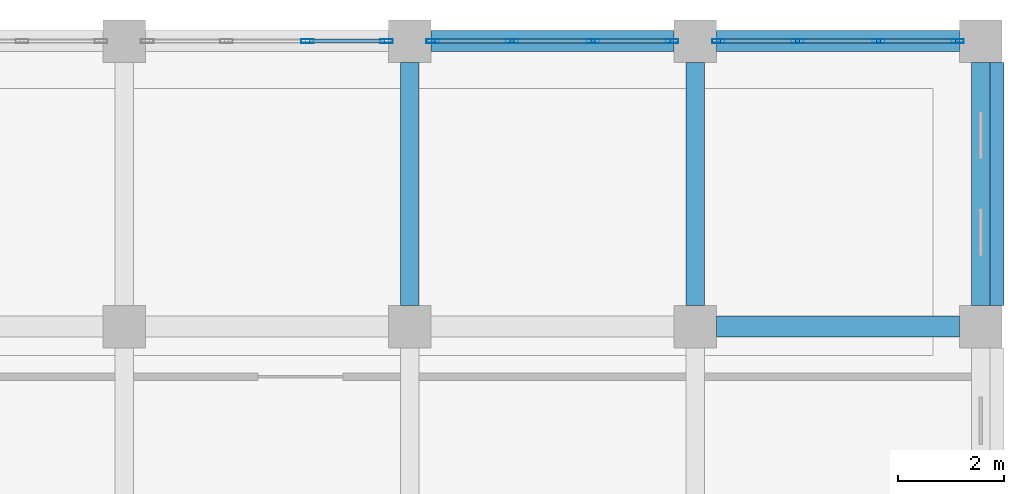
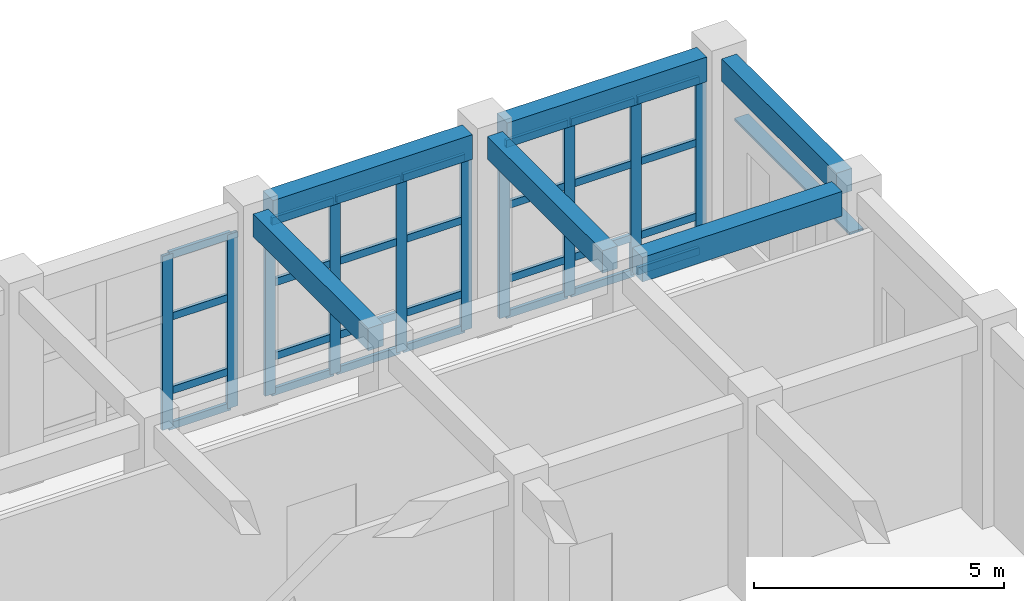
# One storey, part 43 of 77: 39 members, 6 beams, 3 elements without a shape of their own.
"""IFC4 building model written with IfcOpenShell, lengths in metres."""

from ifc_helpers import new_model, si_unit, direction, frame, origin, origin_2d, place, context, subcontext, project, spatial, rectangle, hollow_rectangle, extrude, material, layer, layer_set, material_profile, profile_set, type_object, element, aggregate, save


model = new_model("IFC4")

# Units and contexts
model_context = context("Model", 3, precision=1e-05, world=origin(), true_north=direction((0.0, 1.0)))
body_context = subcontext(model_context, "Body", "Model", "MODEL_VIEW")
ifc_project = project(units=[si_unit("LENGTHUNIT", "METRE"), si_unit("AREAUNIT", "SQUARE_METRE"), si_unit("VOLUMEUNIT", "CUBIC_METRE"), si_unit("PLANEANGLEUNIT", "RADIAN"), si_unit("MASSUNIT", "GRAM", prefix="KILO")], contexts=[model_context])

# Site, building, storey
site_placement = place(None, origin())
site = spatial("IfcSite", under=ifc_project, at=site_placement, CompositionType="ELEMENT")
building_placement = place(site_placement, origin())
building = spatial("IfcBuilding", under=site, at=building_placement, Name="Krzemoval Escarpment Law Courts", CompositionType="ELEMENT")
storey_placement = place(building_placement, frame((0.0, 0.0, 15.300048828125)))
storey = spatial("IfcBuildingStorey", under=building, at=storey_placement, Name="L03", CompositionType="ELEMENT", Elevation=15.300048828125)

# Beams
ifc_material_1 = material(Name="Concrete C40/50", Category="concrete")
ifc_material_profile_1 = material_profile(ifc_material_1, rectangle(XDim=0.35009765625, YDim=0.550048828125, at=origin_2d()), Name="RCB 350x550")
ifc_profile_set_1 = profile_set([ifc_material_profile_1], Name="Concrete C40/50")
beam_type_1 = type_object("IfcBeamType", Name="BM-RC-350x550", PredefinedType="BEAM", material=ifc_profile_set_1)
for number, where, z_axis, x_axis, name in (
    (1, (162.0, 113.800048828125, 4.56494140625), (0.0, 1.0, 0.0), (-1.0, 0.0, 0.0), "Beam FG-L03-2352"),
    (2, (167.39990234375, 113.800048828125, 4.56494140625), (0.0, 1.0, 0.0), (-1.0, 0.0, 0.0), "Beam FG-L03-2356"),
    (3, (172.800048828125, 113.800048828125, 4.56494140625), (0.0, 1.0, 0.0), (-1.0, 0.0, 0.0), "Beam FG-L03-2360"),
):
    element("IfcBeam", number, at=place(storey_placement, frame(where, z_axis=z_axis, x_axis=x_axis)), inside=storey, type_object=beam_type_1, Name=name, PredefinedType="BEAM", context=body_context, shape_type="SweptSolid", body=[
        extrude(rectangle(XDim=0.35009765625, YDim=0.550048828125, at=origin_2d()), origin(), (0.0, 0.0, 1.0), 4.599853515625),
    ])
ifc_material_2 = material(Name="Concrete C40/50", Category="concrete")
ifc_material_profile_2 = material_profile(ifc_material_2, rectangle(XDim=0.39990234375, YDim=0.60009765625, at=origin_2d()), Name="RCB 400x600")
ifc_profile_set_2 = profile_set([ifc_material_profile_2], Name="Concrete C40/50")
beam_type_2 = type_object("IfcBeamType", Name="BM-RC-400x600", PredefinedType="BEAM", material=ifc_profile_set_2)
beam_1_placement = place(storey_placement, frame((167.800048828125, 113.39990234375, 4.5400390625), z_axis=(1.0, 0.0, 0.0), x_axis=(0.0, 1.0, 0.0)))
element("IfcBeam", 4, at=beam_1_placement, inside=storey, type_object=beam_type_2, Name="Beam FG-L03-2207", PredefinedType="BEAM", context=body_context, shape_type="SweptSolid", body=[
    extrude(rectangle(XDim=0.39990234375, YDim=0.60009765625, at=origin_2d()), origin(), (0.0, 0.0, 1.0), 4.599853515625),
])
beam_2_placement = place(storey_placement, frame((162.39990234375, 118.800048828125, 4.5400390625), z_axis=(1.0, 0.0, 0.0), x_axis=(0.0, 1.0, 0.0)))
element("IfcBeam", 5, at=beam_2_placement, inside=storey, type_object=beam_type_2, Name="Beam FG-L03-2213", PredefinedType="BEAM", context=body_context, shape_type="SweptSolid", body=[
    extrude(rectangle(XDim=0.39990234375, YDim=0.60009765625, at=origin_2d()), origin(), (0.0, 0.0, 1.0), 4.60009765625),
])
beam_3_placement = place(storey_placement, frame((167.800048828125, 118.800048828125, 4.5400390625), z_axis=(1.0, 0.0, 0.0), x_axis=(0.0, 1.0, 0.0)))
element("IfcBeam", 6, at=beam_3_placement, inside=storey, type_object=beam_type_2, Name="Beam FG-L03-2214", PredefinedType="BEAM", context=body_context, shape_type="SweptSolid", body=[
    extrude(rectangle(XDim=0.39990234375, YDim=0.60009765625, at=origin_2d()), origin(), (0.0, 0.0, 1.0), 4.599853515625),
])

# Curtain wall, members
ifc_material_3 = material(Name="Aluminium 6063-T6", Category="aluminium")
ifc_layer = layer(ifc_material_3, 0.239990234375)
ifc_layer_set = layer_set([ifc_layer], Name="Aluminium 6063-T6")
curtain_wall_type = type_object("IfcCurtainWallType", Name="CW-CHMB-4800", PredefinedType="USERDEFINED", material=ifc_layer_set)
curtain_wall_1_placement = place(storey_placement, origin())
curtain_wall_1 = element("IfcCurtainWall", 7, at=curtain_wall_1_placement, inside=storey, type_object=curtain_wall_type, Name="Unitised Curtain Wall FCW-L03-117", ObjectType="UNITISED_CURTAIN_WALL", PredefinedType="USERDEFINED")
ifc_material_4 = material(Name="Aluminium 6063-T6", Category="aluminium")
ifc_material_profile_3 = material_profile(ifc_material_4, hollow_rectangle(XDim=0.074951171875, YDim=0.239990234375, WallThickness=0.0048828125, at=origin_2d()), Name="ALU M75x240")
ifc_profile_set_3 = profile_set([ifc_material_profile_3], Name="Aluminium 6063-T6")
member_type_1 = type_object("IfcMemberType", Name="CWM-75x240", PredefinedType="MULLION", material=ifc_profile_set_3)
member_1_placement = place(storey_placement, frame((160.066650390625, 118.800048828125, 0.0), z_axis=(0.0, 0.0, 1.0), x_axis=(0.0, 1.0, 0.0)))
member_1 = element("IfcMember", 8, at=member_1_placement, type_object=member_type_1, Name="FCW-L03-117 mullion 3", PredefinedType="MULLION", context=body_context, shape_type="SweptSolid", body=[
    extrude(hollow_rectangle(XDim=0.074951171875, YDim=0.239990234375, WallThickness=0.0048828125, at=origin_2d()), origin(), (0.0, 0.0, 1.0), 4.239990234375),
])
member_2_placement = place(storey_placement, frame((161.5625, 118.800048828125, 0.0), z_axis=(0.0, 0.0, 1.0), x_axis=(0.0, 1.0, 0.0)))
member_2 = element("IfcMember", 9, at=member_2_placement, type_object=member_type_1, Name="FCW-L03-117 mullion 4", PredefinedType="MULLION", context=body_context, shape_type="SweptSolid", body=[
    extrude(hollow_rectangle(XDim=0.074951171875, YDim=0.239990234375, WallThickness=0.0048828125, at=origin_2d()), origin(), (0.0, 0.0, 1.0), 4.239990234375),
])

curtain_wall_2_placement = place(storey_placement, origin())
curtain_wall_2 = element("IfcCurtainWall", 10, at=curtain_wall_2_placement, inside=storey, type_object=curtain_wall_type, Name="Unitised Curtain Wall FCW-L03-118", ObjectType="UNITISED_CURTAIN_WALL", PredefinedType="USERDEFINED")
member_3_placement = place(storey_placement, frame((162.4375, 118.800048828125, 0.0), z_axis=(0.0, 0.0, 1.0), x_axis=(0.0, 1.0, 0.0)))
member_3 = element("IfcMember", 11, at=member_3_placement, type_object=member_type_1, Name="FCW-L03-118 mullion 1", PredefinedType="MULLION", context=body_context, shape_type="SweptSolid", body=[
    extrude(hollow_rectangle(XDim=0.074951171875, YDim=0.239990234375, WallThickness=0.0048828125, at=origin_2d()), origin(), (0.0, 0.0, 1.0), 4.239990234375),
])
member_4_placement = place(storey_placement, frame((163.933349609375, 118.800048828125, 0.0), z_axis=(0.0, 0.0, 1.0), x_axis=(0.0, 1.0, 0.0)))
member_4 = element("IfcMember", 12, at=member_4_placement, type_object=member_type_1, Name="FCW-L03-118 mullion 2", PredefinedType="MULLION", context=body_context, shape_type="SweptSolid", body=[
    extrude(hollow_rectangle(XDim=0.074951171875, YDim=0.239990234375, WallThickness=0.0048828125, at=origin_2d()), origin(), (0.0, 0.0, 1.0), 4.239990234375),
])
member_5_placement = place(storey_placement, frame((165.466552734375, 118.800048828125, 0.0), z_axis=(0.0, 0.0, 1.0), x_axis=(0.0, 1.0, 0.0)))
member_5 = element("IfcMember", 13, at=member_5_placement, type_object=member_type_1, Name="FCW-L03-118 mullion 3", PredefinedType="MULLION", context=body_context, shape_type="SweptSolid", body=[
    extrude(hollow_rectangle(XDim=0.074951171875, YDim=0.239990234375, WallThickness=0.0048828125, at=origin_2d()), origin(), (0.0, 0.0, 1.0), 4.239990234375),
])
member_6_placement = place(storey_placement, frame((166.96240234375, 118.800048828125, 0.0), z_axis=(0.0, 0.0, 1.0), x_axis=(0.0, 1.0, 0.0)))
member_6 = element("IfcMember", 14, at=member_6_placement, type_object=member_type_1, Name="FCW-L03-118 mullion 4", PredefinedType="MULLION", context=body_context, shape_type="SweptSolid", body=[
    extrude(hollow_rectangle(XDim=0.074951171875, YDim=0.239990234375, WallThickness=0.0048828125, at=origin_2d()), origin(), (0.0, 0.0, 1.0), 4.239990234375),
])

curtain_wall_3_placement = place(storey_placement, origin())
curtain_wall_3 = element("IfcCurtainWall", 15, at=curtain_wall_3_placement, inside=storey, type_object=curtain_wall_type, Name="Unitised Curtain Wall FCW-L03-119", ObjectType="UNITISED_CURTAIN_WALL", PredefinedType="USERDEFINED")
member_7_placement = place(storey_placement, frame((167.83740234375, 118.800048828125, 0.0), z_axis=(0.0, 0.0, 1.0), x_axis=(0.0, 1.0, 0.0)))
member_7 = element("IfcMember", 16, at=member_7_placement, type_object=member_type_1, Name="FCW-L03-119 mullion 1", PredefinedType="MULLION", context=body_context, shape_type="SweptSolid", body=[
    extrude(hollow_rectangle(XDim=0.074951171875, YDim=0.239990234375, WallThickness=0.0048828125, at=origin_2d()), origin(), (0.0, 0.0, 1.0), 4.239990234375),
])
member_8_placement = place(storey_placement, frame((169.333251953125, 118.800048828125, 0.0), z_axis=(0.0, 0.0, 1.0), x_axis=(0.0, 1.0, 0.0)))
member_8 = element("IfcMember", 17, at=member_8_placement, type_object=member_type_1, Name="FCW-L03-119 mullion 2", PredefinedType="MULLION", context=body_context, shape_type="SweptSolid", body=[
    extrude(hollow_rectangle(XDim=0.074951171875, YDim=0.239990234375, WallThickness=0.0048828125, at=origin_2d()), origin(), (0.0, 0.0, 1.0), 4.239990234375),
])
member_9_placement = place(storey_placement, frame((170.86669921875, 118.800048828125, 0.0), z_axis=(0.0, 0.0, 1.0), x_axis=(0.0, 1.0, 0.0)))
member_9 = element("IfcMember", 18, at=member_9_placement, type_object=member_type_1, Name="FCW-L03-119 mullion 3", PredefinedType="MULLION", context=body_context, shape_type="SweptSolid", body=[
    extrude(hollow_rectangle(XDim=0.074951171875, YDim=0.239990234375, WallThickness=0.0048828125, at=origin_2d()), origin(), (0.0, 0.0, 1.0), 4.239990234375),
])
member_10_placement = place(storey_placement, frame((172.362548828125, 118.800048828125, 0.0), z_axis=(0.0, 0.0, 1.0), x_axis=(0.0, 1.0, 0.0)))
member_10 = element("IfcMember", 19, at=member_10_placement, type_object=member_type_1, Name="FCW-L03-119 mullion 4", PredefinedType="MULLION", context=body_context, shape_type="SweptSolid", body=[
    extrude(hollow_rectangle(XDim=0.074951171875, YDim=0.239990234375, WallThickness=0.0048828125, at=origin_2d()), origin(), (0.0, 0.0, 1.0), 4.239990234375),
])

# Member
ifc_material_5 = material(Name="Aluminium 6063-T6", Category="aluminium")
ifc_material_profile_4 = material_profile(ifc_material_5, hollow_rectangle(XDim=0.074951171875, YDim=0.179931640625, WallThickness=0.0048828125, at=origin_2d()), Name="ALU T75x180")
ifc_profile_set_4 = profile_set([ifc_material_profile_4], Name="Aluminium 6063-T6")
member_type_2 = type_object("IfcMemberType", Name="CWT-75x180", PredefinedType="USERDEFINED", material=ifc_profile_set_4)
member_11_placement = place(storey_placement, frame((160.104248046875, 118.800048828125, 0.037353515625), z_axis=(1.0, 0.0, 0.0), x_axis=(0.0, 1.0, 0.0)))
member_11 = element("IfcMember", 20, at=member_11_placement, type_object=member_type_2, Name="FCW-L03-117 transom 3.1", ObjectType="TRANSOM", PredefinedType="USERDEFINED", context=body_context, shape_type="SweptSolid", body=[
    extrude(hollow_rectangle(XDim=0.074951171875, YDim=0.179931640625, WallThickness=0.0048828125, at=origin_2d()), origin(), (0.0, 0.0, 1.0), 1.420654296875),
])

member_12_placement = place(storey_placement, frame((160.104248046875, 118.800048828125, 0.89990234375), z_axis=(1.0, 0.0, 0.0), x_axis=(0.0, 1.0, 0.0)))
member_12 = element("IfcMember", 21, at=member_12_placement, type_object=member_type_2, Name="FCW-L03-117 transom 3.2", ObjectType="TRANSOM", PredefinedType="USERDEFINED", context=body_context, shape_type="SweptSolid", body=[
    extrude(hollow_rectangle(XDim=0.074951171875, YDim=0.179931640625, WallThickness=0.0048828125, at=origin_2d()), origin(), (0.0, 0.0, 1.0), 1.420654296875),
])

member_13_placement = place(storey_placement, frame((160.104248046875, 118.800048828125, 2.699951171875), z_axis=(1.0, 0.0, 0.0), x_axis=(0.0, 1.0, 0.0)))
member_13 = element("IfcMember", 22, at=member_13_placement, type_object=member_type_2, Name="FCW-L03-117 transom 3.3", ObjectType="TRANSOM", PredefinedType="USERDEFINED", context=body_context, shape_type="SweptSolid", body=[
    extrude(hollow_rectangle(XDim=0.074951171875, YDim=0.179931640625, WallThickness=0.0048828125, at=origin_2d()), origin(), (0.0, 0.0, 1.0), 1.420654296875),
])

member_14_placement = place(storey_placement, frame((160.104248046875, 118.800048828125, 4.202392578125), z_axis=(1.0, 0.0, 0.0), x_axis=(0.0, 1.0, 0.0)))
member_14 = element("IfcMember", 23, at=member_14_placement, type_object=member_type_2, Name="FCW-L03-117 transom 3.4", ObjectType="TRANSOM", PredefinedType="USERDEFINED", context=body_context, shape_type="SweptSolid", body=[
    extrude(hollow_rectangle(XDim=0.074951171875, YDim=0.179931640625, WallThickness=0.0048828125, at=origin_2d()), origin(), (0.0, 0.0, 1.0), 1.420654296875),
])

aggregate(curtain_wall_1, [member_1, member_2, member_11, member_12, member_13, member_14])

member_15_placement = place(storey_placement, frame((162.47509765625, 118.800048828125, 0.037353515625), z_axis=(1.0, 0.0, 0.0), x_axis=(0.0, 1.0, 0.0)))
member_15 = element("IfcMember", 24, at=member_15_placement, type_object=member_type_2, Name="FCW-L03-118 transom 1.1", ObjectType="TRANSOM", PredefinedType="USERDEFINED", context=body_context, shape_type="SweptSolid", body=[
    extrude(hollow_rectangle(XDim=0.074951171875, YDim=0.179931640625, WallThickness=0.0048828125, at=origin_2d()), origin(), (0.0, 0.0, 1.0), 1.420654296875),
])

member_16_placement = place(storey_placement, frame((162.47509765625, 118.800048828125, 0.89990234375), z_axis=(1.0, 0.0, 0.0), x_axis=(0.0, 1.0, 0.0)))
member_16 = element("IfcMember", 25, at=member_16_placement, type_object=member_type_2, Name="FCW-L03-118 transom 1.2", ObjectType="TRANSOM", PredefinedType="USERDEFINED", context=body_context, shape_type="SweptSolid", body=[
    extrude(hollow_rectangle(XDim=0.074951171875, YDim=0.179931640625, WallThickness=0.0048828125, at=origin_2d()), origin(), (0.0, 0.0, 1.0), 1.420654296875),
])

member_17_placement = place(storey_placement, frame((162.47509765625, 118.800048828125, 2.699951171875), z_axis=(1.0, 0.0, 0.0), x_axis=(0.0, 1.0, 0.0)))
member_17 = element("IfcMember", 26, at=member_17_placement, type_object=member_type_2, Name="FCW-L03-118 transom 1.3", ObjectType="TRANSOM", PredefinedType="USERDEFINED", context=body_context, shape_type="SweptSolid", body=[
    extrude(hollow_rectangle(XDim=0.074951171875, YDim=0.179931640625, WallThickness=0.0048828125, at=origin_2d()), origin(), (0.0, 0.0, 1.0), 1.420654296875),
])

member_18_placement = place(storey_placement, frame((162.47509765625, 118.800048828125, 4.202392578125), z_axis=(1.0, 0.0, 0.0), x_axis=(0.0, 1.0, 0.0)))
member_18 = element("IfcMember", 27, at=member_18_placement, type_object=member_type_2, Name="FCW-L03-118 transom 1.4", ObjectType="TRANSOM", PredefinedType="USERDEFINED", context=body_context, shape_type="SweptSolid", body=[
    extrude(hollow_rectangle(XDim=0.074951171875, YDim=0.179931640625, WallThickness=0.0048828125, at=origin_2d()), origin(), (0.0, 0.0, 1.0), 1.420654296875),
])

member_19_placement = place(storey_placement, frame((163.970947265625, 118.800048828125, 0.037353515625), z_axis=(1.0, 0.0, 0.0), x_axis=(0.0, 1.0, 0.0)))
member_19 = element("IfcMember", 28, at=member_19_placement, type_object=member_type_2, Name="FCW-L03-118 transom 2.1", ObjectType="TRANSOM", PredefinedType="USERDEFINED", context=body_context, shape_type="SweptSolid", body=[
    extrude(hollow_rectangle(XDim=0.074951171875, YDim=0.179931640625, WallThickness=0.0048828125, at=origin_2d()), origin(), (0.0, 0.0, 1.0), 1.458251953125),
])

member_20_placement = place(storey_placement, frame((163.970947265625, 118.800048828125, 0.89990234375), z_axis=(1.0, 0.0, 0.0), x_axis=(0.0, 1.0, 0.0)))
member_20 = element("IfcMember", 29, at=member_20_placement, type_object=member_type_2, Name="FCW-L03-118 transom 2.2", ObjectType="TRANSOM", PredefinedType="USERDEFINED", context=body_context, shape_type="SweptSolid", body=[
    extrude(hollow_rectangle(XDim=0.074951171875, YDim=0.179931640625, WallThickness=0.0048828125, at=origin_2d()), origin(), (0.0, 0.0, 1.0), 1.458251953125),
])

member_21_placement = place(storey_placement, frame((163.970947265625, 118.800048828125, 2.699951171875), z_axis=(1.0, 0.0, 0.0), x_axis=(0.0, 1.0, 0.0)))
member_21 = element("IfcMember", 30, at=member_21_placement, type_object=member_type_2, Name="FCW-L03-118 transom 2.3", ObjectType="TRANSOM", PredefinedType="USERDEFINED", context=body_context, shape_type="SweptSolid", body=[
    extrude(hollow_rectangle(XDim=0.074951171875, YDim=0.179931640625, WallThickness=0.0048828125, at=origin_2d()), origin(), (0.0, 0.0, 1.0), 1.458251953125),
])

member_22_placement = place(storey_placement, frame((163.970947265625, 118.800048828125, 4.202392578125), z_axis=(1.0, 0.0, 0.0), x_axis=(0.0, 1.0, 0.0)))
member_22 = element("IfcMember", 31, at=member_22_placement, type_object=member_type_2, Name="FCW-L03-118 transom 2.4", ObjectType="TRANSOM", PredefinedType="USERDEFINED", context=body_context, shape_type="SweptSolid", body=[
    extrude(hollow_rectangle(XDim=0.074951171875, YDim=0.179931640625, WallThickness=0.0048828125, at=origin_2d()), origin(), (0.0, 0.0, 1.0), 1.458251953125),
])

member_23_placement = place(storey_placement, frame((165.504150390625, 118.800048828125, 0.037353515625), z_axis=(1.0, 0.0, 0.0), x_axis=(0.0, 1.0, 0.0)))
member_23 = element("IfcMember", 32, at=member_23_placement, type_object=member_type_2, Name="FCW-L03-118 transom 3.1", ObjectType="TRANSOM", PredefinedType="USERDEFINED", context=body_context, shape_type="SweptSolid", body=[
    extrude(hollow_rectangle(XDim=0.074951171875, YDim=0.179931640625, WallThickness=0.0048828125, at=origin_2d()), origin(), (0.0, 0.0, 1.0), 1.4208984375),
])

member_24_placement = place(storey_placement, frame((165.504150390625, 118.800048828125, 0.89990234375), z_axis=(1.0, 0.0, 0.0), x_axis=(0.0, 1.0, 0.0)))
member_24 = element("IfcMember", 33, at=member_24_placement, type_object=member_type_2, Name="FCW-L03-118 transom 3.2", ObjectType="TRANSOM", PredefinedType="USERDEFINED", context=body_context, shape_type="SweptSolid", body=[
    extrude(hollow_rectangle(XDim=0.074951171875, YDim=0.179931640625, WallThickness=0.0048828125, at=origin_2d()), origin(), (0.0, 0.0, 1.0), 1.4208984375),
])

member_25_placement = place(storey_placement, frame((165.504150390625, 118.800048828125, 2.699951171875), z_axis=(1.0, 0.0, 0.0), x_axis=(0.0, 1.0, 0.0)))
member_25 = element("IfcMember", 34, at=member_25_placement, type_object=member_type_2, Name="FCW-L03-118 transom 3.3", ObjectType="TRANSOM", PredefinedType="USERDEFINED", context=body_context, shape_type="SweptSolid", body=[
    extrude(hollow_rectangle(XDim=0.074951171875, YDim=0.179931640625, WallThickness=0.0048828125, at=origin_2d()), origin(), (0.0, 0.0, 1.0), 1.4208984375),
])

member_26_placement = place(storey_placement, frame((165.504150390625, 118.800048828125, 4.202392578125), z_axis=(1.0, 0.0, 0.0), x_axis=(0.0, 1.0, 0.0)))
member_26 = element("IfcMember", 35, at=member_26_placement, type_object=member_type_2, Name="FCW-L03-118 transom 3.4", ObjectType="TRANSOM", PredefinedType="USERDEFINED", context=body_context, shape_type="SweptSolid", body=[
    extrude(hollow_rectangle(XDim=0.074951171875, YDim=0.179931640625, WallThickness=0.0048828125, at=origin_2d()), origin(), (0.0, 0.0, 1.0), 1.4208984375),
])

aggregate(curtain_wall_2, [member_3, member_4, member_5, member_6, member_15, member_16, member_17, member_18, member_19, member_20, member_21, member_22, member_23, member_24, member_25, member_26])

member_27_placement = place(storey_placement, frame((167.875, 118.800048828125, 0.037353515625), z_axis=(1.0, 0.0, 0.0), x_axis=(0.0, 1.0, 0.0)))
member_27 = element("IfcMember", 36, at=member_27_placement, type_object=member_type_2, Name="FCW-L03-119 transom 1.1", ObjectType="TRANSOM", PredefinedType="USERDEFINED", context=body_context, shape_type="SweptSolid", body=[
    extrude(hollow_rectangle(XDim=0.074951171875, YDim=0.179931640625, WallThickness=0.0048828125, at=origin_2d()), origin(), (0.0, 0.0, 1.0), 1.4208984375),
])

member_28_placement = place(storey_placement, frame((167.875, 118.800048828125, 0.89990234375), z_axis=(1.0, 0.0, 0.0), x_axis=(0.0, 1.0, 0.0)))
member_28 = element("IfcMember", 37, at=member_28_placement, type_object=member_type_2, Name="FCW-L03-119 transom 1.2", ObjectType="TRANSOM", PredefinedType="USERDEFINED", context=body_context, shape_type="SweptSolid", body=[
    extrude(hollow_rectangle(XDim=0.074951171875, YDim=0.179931640625, WallThickness=0.0048828125, at=origin_2d()), origin(), (0.0, 0.0, 1.0), 1.4208984375),
])

member_29_placement = place(storey_placement, frame((167.875, 118.800048828125, 2.699951171875), z_axis=(1.0, 0.0, 0.0), x_axis=(0.0, 1.0, 0.0)))
member_29 = element("IfcMember", 38, at=member_29_placement, type_object=member_type_2, Name="FCW-L03-119 transom 1.3", ObjectType="TRANSOM", PredefinedType="USERDEFINED", context=body_context, shape_type="SweptSolid", body=[
    extrude(hollow_rectangle(XDim=0.074951171875, YDim=0.179931640625, WallThickness=0.0048828125, at=origin_2d()), origin(), (0.0, 0.0, 1.0), 1.4208984375),
])

member_30_placement = place(storey_placement, frame((167.875, 118.800048828125, 4.202392578125), z_axis=(1.0, 0.0, 0.0), x_axis=(0.0, 1.0, 0.0)))
member_30 = element("IfcMember", 39, at=member_30_placement, type_object=member_type_2, Name="FCW-L03-119 transom 1.4", ObjectType="TRANSOM", PredefinedType="USERDEFINED", context=body_context, shape_type="SweptSolid", body=[
    extrude(hollow_rectangle(XDim=0.074951171875, YDim=0.179931640625, WallThickness=0.0048828125, at=origin_2d()), origin(), (0.0, 0.0, 1.0), 1.4208984375),
])

member_31_placement = place(storey_placement, frame((169.370849609375, 118.800048828125, 0.037353515625), z_axis=(1.0, 0.0, 0.0), x_axis=(0.0, 1.0, 0.0)))
member_31 = element("IfcMember", 40, at=member_31_placement, type_object=member_type_2, Name="FCW-L03-119 transom 2.1", ObjectType="TRANSOM", PredefinedType="USERDEFINED", context=body_context, shape_type="SweptSolid", body=[
    extrude(hollow_rectangle(XDim=0.074951171875, YDim=0.179931640625, WallThickness=0.0048828125, at=origin_2d()), origin(), (0.0, 0.0, 1.0), 1.458251953125),
])

member_32_placement = place(storey_placement, frame((169.370849609375, 118.800048828125, 0.89990234375), z_axis=(1.0, 0.0, 0.0), x_axis=(0.0, 1.0, 0.0)))
member_32 = element("IfcMember", 41, at=member_32_placement, type_object=member_type_2, Name="FCW-L03-119 transom 2.2", ObjectType="TRANSOM", PredefinedType="USERDEFINED", context=body_context, shape_type="SweptSolid", body=[
    extrude(hollow_rectangle(XDim=0.074951171875, YDim=0.179931640625, WallThickness=0.0048828125, at=origin_2d()), origin(), (0.0, 0.0, 1.0), 1.458251953125),
])

member_33_placement = place(storey_placement, frame((169.370849609375, 118.800048828125, 2.699951171875), z_axis=(1.0, 0.0, 0.0), x_axis=(0.0, 1.0, 0.0)))
member_33 = element("IfcMember", 42, at=member_33_placement, type_object=member_type_2, Name="FCW-L03-119 transom 2.3", ObjectType="TRANSOM", PredefinedType="USERDEFINED", context=body_context, shape_type="SweptSolid", body=[
    extrude(hollow_rectangle(XDim=0.074951171875, YDim=0.179931640625, WallThickness=0.0048828125, at=origin_2d()), origin(), (0.0, 0.0, 1.0), 1.458251953125),
])

member_34_placement = place(storey_placement, frame((169.370849609375, 118.800048828125, 4.202392578125), z_axis=(1.0, 0.0, 0.0), x_axis=(0.0, 1.0, 0.0)))
member_34 = element("IfcMember", 43, at=member_34_placement, type_object=member_type_2, Name="FCW-L03-119 transom 2.4", ObjectType="TRANSOM", PredefinedType="USERDEFINED", context=body_context, shape_type="SweptSolid", body=[
    extrude(hollow_rectangle(XDim=0.074951171875, YDim=0.179931640625, WallThickness=0.0048828125, at=origin_2d()), origin(), (0.0, 0.0, 1.0), 1.458251953125),
])

member_35_placement = place(storey_placement, frame((170.904052734375, 118.800048828125, 0.037353515625), z_axis=(1.0, 0.0, 0.0), x_axis=(0.0, 1.0, 0.0)))
member_35 = element("IfcMember", 44, at=member_35_placement, type_object=member_type_2, Name="FCW-L03-119 transom 3.1", ObjectType="TRANSOM", PredefinedType="USERDEFINED", context=body_context, shape_type="SweptSolid", body=[
    extrude(hollow_rectangle(XDim=0.074951171875, YDim=0.179931640625, WallThickness=0.0048828125, at=origin_2d()), origin(), (0.0, 0.0, 1.0), 1.4208984375),
])

member_36_placement = place(storey_placement, frame((170.904052734375, 118.800048828125, 0.89990234375), z_axis=(1.0, 0.0, 0.0), x_axis=(0.0, 1.0, 0.0)))
member_36 = element("IfcMember", 45, at=member_36_placement, type_object=member_type_2, Name="FCW-L03-119 transom 3.2", ObjectType="TRANSOM", PredefinedType="USERDEFINED", context=body_context, shape_type="SweptSolid", body=[
    extrude(hollow_rectangle(XDim=0.074951171875, YDim=0.179931640625, WallThickness=0.0048828125, at=origin_2d()), origin(), (0.0, 0.0, 1.0), 1.4208984375),
])

member_37_placement = place(storey_placement, frame((170.904052734375, 118.800048828125, 2.699951171875), z_axis=(1.0, 0.0, 0.0), x_axis=(0.0, 1.0, 0.0)))
member_37 = element("IfcMember", 46, at=member_37_placement, type_object=member_type_2, Name="FCW-L03-119 transom 3.3", ObjectType="TRANSOM", PredefinedType="USERDEFINED", context=body_context, shape_type="SweptSolid", body=[
    extrude(hollow_rectangle(XDim=0.074951171875, YDim=0.179931640625, WallThickness=0.0048828125, at=origin_2d()), origin(), (0.0, 0.0, 1.0), 1.4208984375),
])

member_38_placement = place(storey_placement, frame((170.904052734375, 118.800048828125, 4.202392578125), z_axis=(1.0, 0.0, 0.0), x_axis=(0.0, 1.0, 0.0)))
member_38 = element("IfcMember", 47, at=member_38_placement, type_object=member_type_2, Name="FCW-L03-119 transom 3.4", ObjectType="TRANSOM", PredefinedType="USERDEFINED", context=body_context, shape_type="SweptSolid", body=[
    extrude(hollow_rectangle(XDim=0.074951171875, YDim=0.179931640625, WallThickness=0.0048828125, at=origin_2d()), origin(), (0.0, 0.0, 1.0), 1.4208984375),
])

aggregate(curtain_wall_3, [member_7, member_8, member_9, member_10, member_27, member_28, member_29, member_30, member_31, member_32, member_33, member_34, member_35, member_36, member_37, member_38])

ifc_material_6 = material(Name="Anodised Aluminium Alloy 6063-T6", Category="aluminium")
ifc_material_profile_5 = material_profile(ifc_material_6, hollow_rectangle(XDim=0.06005859375, YDim=0.320068359375, WallThickness=0.00390625, at=origin_2d()), Name="ALU LVR 60x320")
ifc_profile_set_5 = profile_set([ifc_material_profile_5], Name="Anodised Aluminium Alloy 6063-T6")
member_type_3 = type_object("IfcMemberType", Name="LVR-ALU-320", PredefinedType="USERDEFINED", material=ifc_profile_set_5)
member_39_placement = place(storey_placement, frame((173.080078125, 118.39990234375, 3.260009765625), z_axis=(0.0, -1.0, 0.0), x_axis=(0.0, 0.0, 1.0)))
element("IfcMember", 48, at=member_39_placement, inside=storey, type_object=member_type_3, Name="Window Sunshade Louvre FLV-L03-0788", ObjectType="SUNSHADE_LOUVRE", PredefinedType="USERDEFINED", context=body_context, shape_type="SweptSolid", body=[
    extrude(hollow_rectangle(XDim=0.06005859375, YDim=0.320068359375, WallThickness=0.00390625, at=origin_2d()), origin(), (0.0, 0.0, 1.0), 4.599853515625),
])

save(model, "model.ifc")
